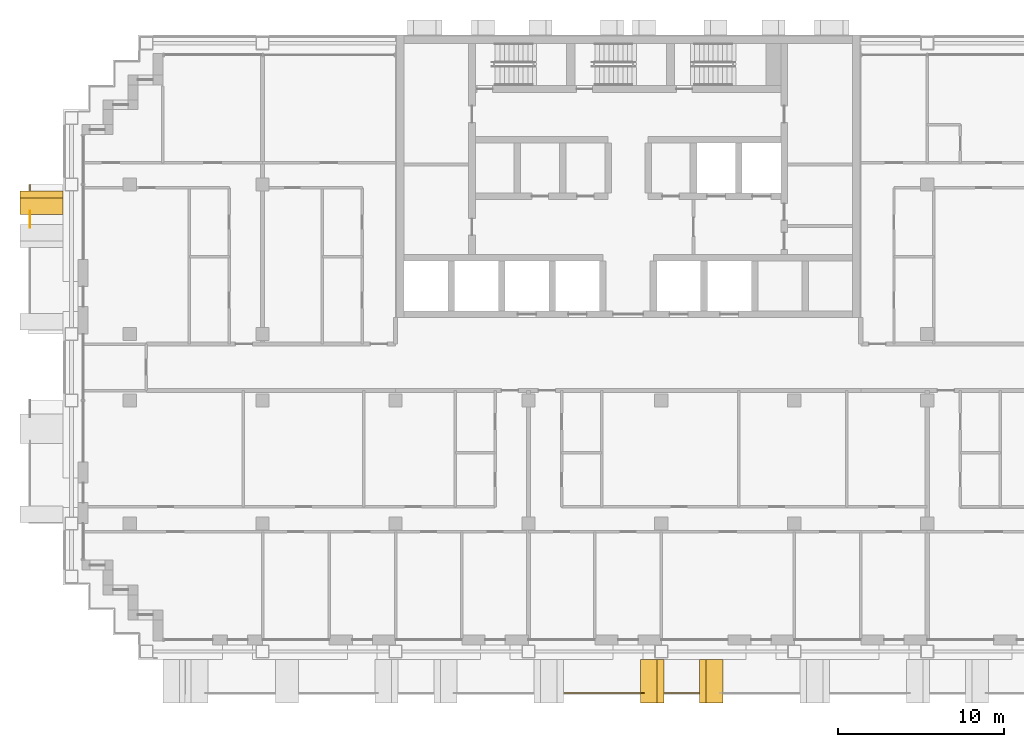
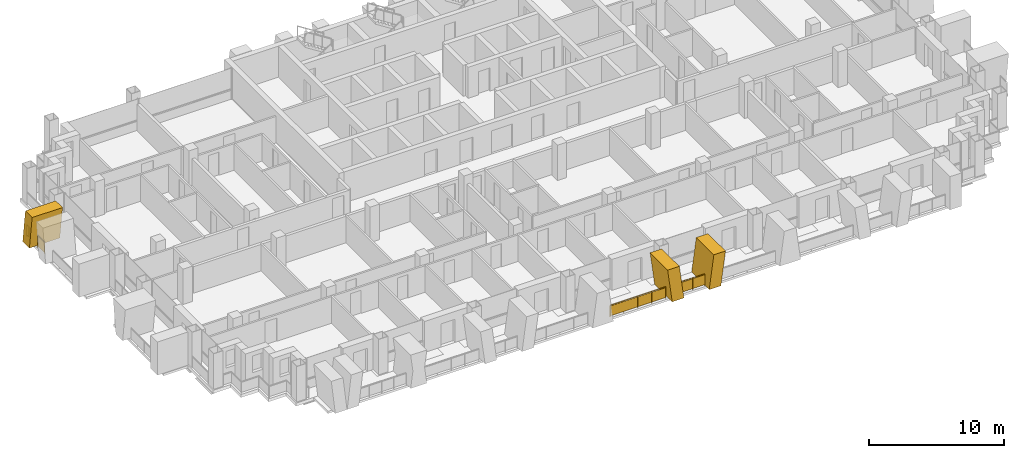
# One storey, part 14 of 17: 4 railings, 3 shading devices.
"""IFC4 building model written with IfcOpenShell, lengths in metres."""

from ifc_helpers import new_model, si_unit, direction, frame, origin, origin_2d, place, context, subcontext, project, spatial, polyline, rectangle, circle, outline, extrude, material, layer, layer_set, type_object, element, save


model = new_model("IFC4")

# Units and contexts
model_context = context("Model", 3, precision=1e-05, world=origin(), true_north=direction((0.0, 1.0)))
body_context = subcontext(model_context, "Body", "Model", "MODEL_VIEW")
ifc_project = project(units=[si_unit("LENGTHUNIT", "METRE"), si_unit("AREAUNIT", "SQUARE_METRE"), si_unit("VOLUMEUNIT", "CUBIC_METRE"), si_unit("PLANEANGLEUNIT", "RADIAN"), si_unit("MASSUNIT", "GRAM", prefix="KILO")], contexts=[model_context])

# Site, building, storey
site_placement = place(None, origin())
site = spatial("IfcSite", under=ifc_project, at=site_placement, CompositionType="ELEMENT")
building_placement = place(site_placement, origin())
building = spatial("IfcBuilding", under=site, at=building_placement, Name="Vidyagriha Tower", CompositionType="ELEMENT")
storey_placement = place(building_placement, frame((0.0, 0.0, 148.60009765625)))
storey = spatial("IfcBuildingStorey", under=building, at=storey_placement, Name="L39", CompositionType="ELEMENT", Elevation=148.60009765625)

# Railings
ifc_material_1 = material(Name="Steel ASTM A500 Grade C black painted", Category="steel")
railing_type = type_object("IfcRailingType", Name="Balcony guard 1100", PredefinedType="BALUSTRADE", material=ifc_material_1)
railing_1_placement = place(storey_placement, frame((-36.0, 11.0, 0.0)))
element("IfcRailing", 1, at=railing_1_placement, inside=storey, type_object=railing_type, Name="Balcony guard L39 R16.1-1", PredefinedType="BALUSTRADE", context=body_context, shape_type="SweptSolid", body=[
    extrude(circle(Radius=0.02490234375, at=origin_2d()), frame((0.0, 0.0, 1.0751953125), z_axis=(0.0, -1.0, 0.0), x_axis=(1.0, 0.0, 0.0)), (0.0, 0.0, 1.0), 0.35009765625),
    extrude(circle(Radius=0.02001953125, at=origin_2d()), origin(), (0.0, 0.0, 1.0), 1.050048828125),
    extrude(circle(Radius=0.02001953125, at=origin_2d()), frame((0.0, -0.35009765625, 0.0)), (0.0, 0.0, 1.0), 1.050048828125),
    extrude(rectangle(XDim=0.010009765625, YDim=0.900146484375, at=origin_2d()), frame((0.0, 0.0, 0.550048828125), z_axis=(0.0, -1.0, 0.0), x_axis=(1.0, 0.0, 0.0)), (0.0, 0.0, 1.0), 0.35009765625),
])
railing_2_placement = place(storey_placement, frame((-36.0, 9.396728515625, 0.0)))
element("IfcRailing", 2, at=railing_2_placement, inside=storey, type_object=railing_type, Name="Balcony guard L39 R16.1-2", PredefinedType="BALUSTRADE", context=body_context, shape_type="SweptSolid", body=[
    extrude(circle(Radius=0.02490234375, at=origin_2d()), frame((0.0, 0.0, 1.0751953125), z_axis=(0.0, -1.0, 0.0), x_axis=(1.0, 0.0, 0.0)), (0.0, 0.0, 1.0), 0.993408203125),
    extrude(circle(Radius=0.02001953125, at=origin_2d()), origin(), (0.0, 0.0, 1.0), 1.050048828125),
    extrude(circle(Radius=0.02001953125, at=origin_2d()), frame((0.0, -0.993408203125, 0.0)), (0.0, 0.0, 1.0), 1.050048828125),
    extrude(rectangle(XDim=0.010009765625, YDim=0.900146484375, at=origin_2d()), frame((0.0, 0.0, 0.550048828125), z_axis=(0.0, -1.0, 0.0), x_axis=(1.0, 0.0, 0.0)), (0.0, 0.0, 1.0), 0.993408203125),
])
railing_3_placement = place(storey_placement, frame((-3.830078125, -19.60009765625, 0.0)))
element("IfcRailing", 3, at=railing_3_placement, inside=storey, type_object=railing_type, Name="Balcony guard L39 R23.1-5", PredefinedType="BALUSTRADE", context=body_context, shape_type="SweptSolid", body=[
    extrude(circle(Radius=0.02490234375, at=origin_2d()), frame((0.0, 0.0, 1.0751953125), z_axis=(1.0, 0.0, 0.0), x_axis=(0.0, 1.0, 0.0)), (0.0, 0.0, 1.0), 4.773681640625),
    extrude(circle(Radius=0.02001953125, at=origin_2d()), origin(), (0.0, 0.0, 1.0), 1.050048828125),
    extrude(circle(Radius=0.02001953125, at=origin_2d()), frame((1.193359375, 0.0, 0.0)), (0.0, 0.0, 1.0), 1.050048828125),
    extrude(circle(Radius=0.02001953125, at=origin_2d()), frame((2.38671875, 0.0, 0.0)), (0.0, 0.0, 1.0), 1.050048828125),
    extrude(circle(Radius=0.02001953125, at=origin_2d()), frame((3.580322265625, 0.0, 0.0)), (0.0, 0.0, 1.0), 1.050048828125),
    extrude(circle(Radius=0.02001953125, at=origin_2d()), frame((4.773681640625, 0.0, 0.0)), (0.0, 0.0, 1.0), 1.050048828125),
    extrude(rectangle(XDim=0.010009765625, YDim=0.900146484375, at=origin_2d()), frame((0.0, 0.0, 0.550048828125), z_axis=(1.0, 0.0, 0.0), x_axis=(0.0, 1.0, 0.0)), (0.0, 0.0, 1.0), 4.773681640625),
])
railing_4_placement = place(storey_placement, frame((2.195068359375, -19.60009765625, 0.0)))
element("IfcRailing", 4, at=railing_4_placement, inside=storey, type_object=railing_type, Name="Balcony guard L39 R23.1-6", PredefinedType="BALUSTRADE", context=body_context, shape_type="SweptSolid", body=[
    extrude(circle(Radius=0.02490234375, at=origin_2d()), frame((0.0, 0.0, 1.0751953125), z_axis=(1.0, 0.0, 0.0), x_axis=(0.0, 1.0, 0.0)), (0.0, 0.0, 1.0), 2.059814453125),
    extrude(circle(Radius=0.02001953125, at=origin_2d()), origin(), (0.0, 0.0, 1.0), 1.050048828125),
    extrude(circle(Radius=0.02001953125, at=origin_2d()), frame((1.02978515625, 0.0, 0.0)), (0.0, 0.0, 1.0), 1.050048828125),
    extrude(circle(Radius=0.02001953125, at=origin_2d()), frame((2.059814453125, 0.0, 0.0)), (0.0, 0.0, 1.0), 1.050048828125),
    extrude(rectangle(XDim=0.010009765625, YDim=0.900146484375, at=origin_2d()), frame((0.0, 0.0, 0.550048828125), z_axis=(1.0, 0.0, 0.0), x_axis=(0.0, 1.0, 0.0)), (0.0, 0.0, 1.0), 2.059814453125),
])

# Shading devices
ifc_material_2 = material(Name="Precast concrete C40/50 with buff brick facing", Category="concrete")
ifc_layer = layer(ifc_material_2, 1.0)
ifc_layer_set = layer_set([ifc_layer], Name="Precast concrete C40/50 with buff brick facing")
shading_device_type = type_object("IfcShadingDeviceType", Name="Brick-faced blade fin arm leaning 8 degrees", PredefinedType="USERDEFINED", material=ifc_layer_set)
shading_device_1_placement = place(storey_placement, frame((-35.300048828125, 10.60009765625, 0.0), z_axis=(0.0, 0.0, 1.0), x_axis=(0.0, -1.0, 0.0)))
element("IfcShadingDevice", 5, at=shading_device_1_placement, inside=storey, type_object=shading_device_type, Name="Leaning blade fin L39 R16.300b", ObjectType="BLADE FIN", PredefinedType="USERDEFINED", context=body_context, shape_type="SweptSolid", body=[
    extrude(outline(polyline([(0.0, 0.0), (1.0, 0.0), (1.39990234375, 3.0), (0.39990234375, 3.0), (0.0, 0.0)])), frame((0.0, 1.300048828125, 0.0), z_axis=(0.0, -1.0, 0.0), x_axis=(1.0, 0.0, 0.0)), (0.0, 0.0, 1.0), 2.60009765625),
])
shading_device_2_placement = place(storey_placement, frame((4.304931640625, -18.89990234375, 0.0)))
element("IfcShadingDevice", 6, at=shading_device_2_placement, inside=storey, type_object=shading_device_type, Name="Leaning blade fin L39 R23.3000a", ObjectType="BLADE FIN", PredefinedType="USERDEFINED", context=body_context, shape_type="SweptSolid", body=[
    extrude(outline(polyline([(0.0, 0.0), (1.0, 0.0), (1.39501953125, 3.0), (0.39501953125, 3.0), (0.0, 0.0)])), frame((0.0, 1.300048828125, 0.0), z_axis=(0.0, -1.0, 0.0), x_axis=(1.0, 0.0, 0.0)), (0.0, 0.0, 1.0), 2.60009765625),
])
shading_device_3_placement = place(storey_placement, frame((0.75, -18.89990234375, 0.0)))
element("IfcShadingDevice", 7, at=shading_device_3_placement, inside=storey, type_object=shading_device_type, Name="Leaning blade fin L39 R23.3000b", ObjectType="BLADE FIN", PredefinedType="USERDEFINED", context=body_context, shape_type="SweptSolid", body=[
    extrude(outline(polyline([(0.39501953125, 0.0), (1.39501953125, 0.0), (1.0, 3.0), (0.0, 3.0), (0.39501953125, 0.0)])), frame((0.0, 1.300048828125, 0.0), z_axis=(0.0, -1.0, 0.0), x_axis=(1.0, 0.0, 0.0)), (0.0, 0.0, 1.0), 2.60009765625),
])

save(model, "model.ifc")
